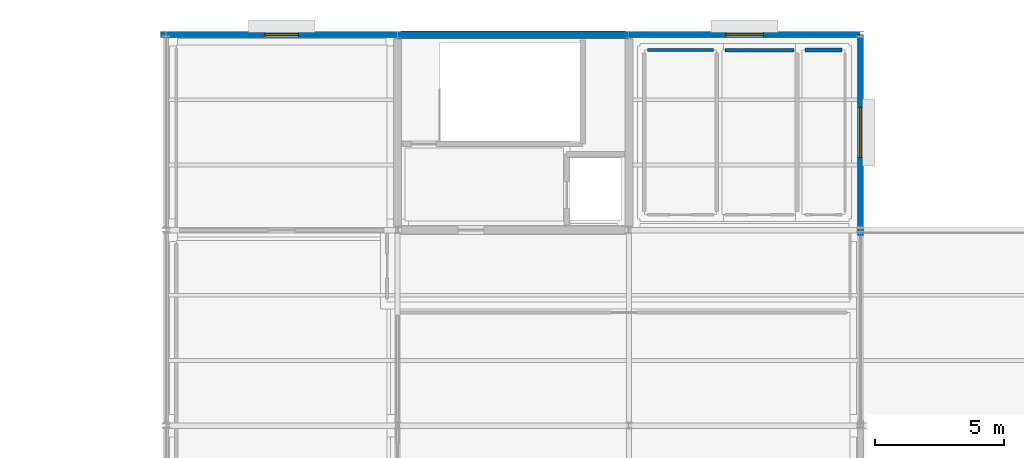
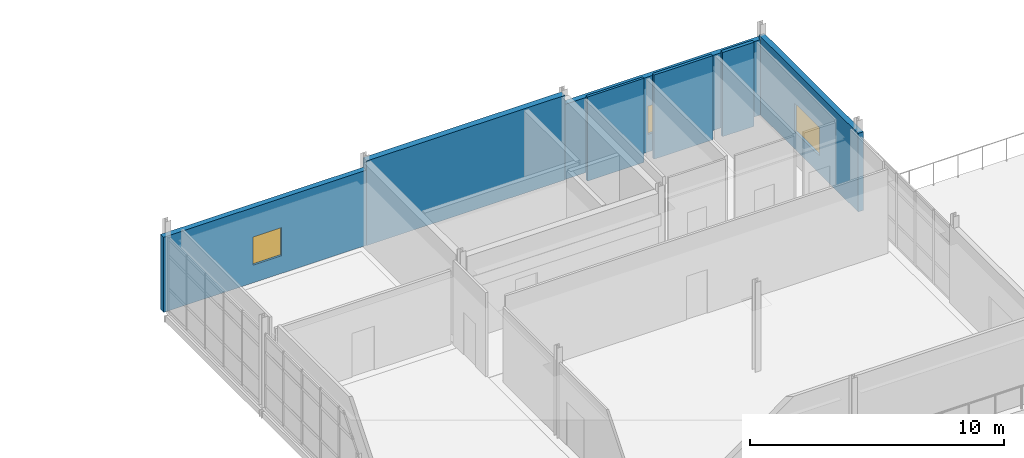
# One storey, part 44 of 48: 7 walls, 3 windows, 3 openings.
"""IFC4 building model written with IfcOpenShell, lengths in metres."""

import ifcopenshell
import ifcopenshell.guid

model = None  # the IFC model being written
_history = None  # IfcOwnerHistory: only IFC2X3 demands one
_inside = {}  # id of a spatial element -> (the spatial element, [elements in it])
_under = {}  # id of a project, library or spatial element -> (it, [spatial elements below it])
_declared = {}  # id of a project -> (the project, [libraries it declares])
_typed = {}  # id of a type object -> (the type object, [elements of that type])
_made_of = {}  # id of a material, layer set ... -> (it, [elements and type objects made of it])


def new_model(schema):
    """Start an empty IFC model of exactly this schema.

    Asked for "IFC4X3", IfcOpenShell would pick the latest addendum, in which some entities
    have other attributes; the version numbers below select the first issue.
    IFC2X3 requires an IfcOwnerHistory on every rooted entity: one is made here for all.
    """
    global model, _history
    if schema == "IFC4X3":
        model = ifcopenshell.file(schema_version=(4, 3, 0, 0))
    else:
        model = ifcopenshell.file(schema=schema)
    _inside.clear()
    _under.clear()
    _declared.clear()
    _typed.clear()
    _made_of.clear()
    _history = None
    if model.schema == "IFC2X3":
        org = make("IfcOrganization", Name="unknown")
        user = make(
            "IfcPersonAndOrganization",
            ThePerson=make("IfcPerson", FamilyName="unknown"),
            TheOrganization=org,
        )
        app = make(
            "IfcApplication",
            ApplicationDeveloper=org,
            Version="unknown",
            ApplicationFullName="unknown",
            ApplicationIdentifier="unknown",
        )
        _history = make(
            "IfcOwnerHistory",
            OwningUser=user,
            OwningApplication=app,
            ChangeAction="ADDED",
            CreationDate=0,
        )
    return model


def make(cls, **values):
    """One entity of the class cls with the attributes given. An attribute that is None is left unset."""
    return model.create_entity(
        cls, **{name: value for name, value in values.items() if value is not None}
    )


def rooted(cls, **values):
    """An entity with a GlobalId (a new one), such as an element, a storey or a relation."""
    return make(cls, GlobalId=ifcopenshell.guid.new(), OwnerHistory=_history, **values)


def si_unit(unit_type, name, prefix=None):
    """IfcSIUnit, for example si_unit("LENGTHUNIT", "METRE", prefix="MILLI")."""
    return make("IfcSIUnit", UnitType=unit_type, Prefix=prefix, Name=name)


def assignment(units):
    """IfcUnitAssignment: the units of a project."""
    return None if units is None else make("IfcUnitAssignment", Units=units)


def point(xyz):
    """IfcCartesianPoint."""
    return None if xyz is None else make("IfcCartesianPoint", Coordinates=xyz)


def direction(xyz):
    """IfcDirection."""
    return None if xyz is None else make("IfcDirection", DirectionRatios=xyz)


def frame(location, z_axis=None, x_axis=None):
    """IfcAxis2Placement3D, a coordinate frame: its origin and axes. An axis left out is left unset."""
    return make(
        "IfcAxis2Placement3D",
        Location=point(location),
        Axis=direction(z_axis),
        RefDirection=direction(x_axis),
    )


def frame_2d(location, x_axis=None):
    """IfcAxis2Placement2D, a coordinate frame in the plane: its origin and x axis."""
    return make(
        "IfcAxis2Placement2D", Location=point(location), RefDirection=direction(x_axis)
    )


def origin():
    """The frame at (0, 0, 0) with its axes left unset."""
    return frame((0.0, 0.0, 0.0))


def place(relative_to, where):
    """IfcLocalPlacement: puts the frame where relative to a parent placement (None: the world)."""
    return make(
        "IfcLocalPlacement", PlacementRelTo=relative_to, RelativePlacement=where
    )


def context(
    kind, dimensions, precision=None, world=None, true_north=None, identifier=None
):
    """IfcGeometricRepresentationContext, for example the 3D "Model" context."""
    return make(
        "IfcGeometricRepresentationContext",
        ContextIdentifier=identifier,
        ContextType=kind,
        CoordinateSpaceDimension=dimensions,
        Precision=precision,
        WorldCoordinateSystem=world,
        TrueNorth=true_north,
    )


def subcontext(parent, identifier, kind, view, scale=None):
    """IfcGeometricRepresentationSubContext, for example "Body" below "Model"."""
    return make(
        "IfcGeometricRepresentationSubContext",
        ContextIdentifier=identifier,
        ContextType=kind,
        ParentContext=parent,
        TargetScale=scale,
        TargetView=view,
    )


def project(units=None, contexts=None):
    """IfcProject with its units and contexts."""
    return rooted(
        "IfcProject",
        Name="project",
        RepresentationContexts=contexts,
        UnitsInContext=assignment(units),
    )


def spatial(cls, under=None, at=None, **own):
    """A site, building, storey or space (cls), placed at a placement, below another one or the project."""
    s = rooted(cls, ObjectPlacement=at, **own)
    if under is not None:
        _under.setdefault(under.id(), (under, []))[1].append(s)
    return s


def profile(cls, at=None, kind="AREA", **sizes):
    """A parametric profile (cls). Its sizes go by their IFC names, for example OverallWidth=200.0."""
    return make(cls, ProfileType=kind, Position=at, **sizes)


def rectangle(**sizes):
    """IfcRectangleProfileDef."""
    return profile("IfcRectangleProfileDef", **sizes)


def extrude(swept, where, along, depth):
    """IfcExtrudedAreaSolid: the profile swept, set in the frame where, extruded along a direction by depth."""
    return make(
        "IfcExtrudedAreaSolid",
        SweptArea=swept,
        Position=where,
        ExtrudedDirection=direction(along),
        Depth=depth,
    )


def shape(context_of_items, identifier, shape_type, items):
    """IfcShapeRepresentation: the items that make up one representation, for example the "Body"."""
    return make(
        "IfcShapeRepresentation",
        ContextOfItems=context_of_items,
        RepresentationIdentifier=identifier,
        RepresentationType=shape_type,
        Items=items,
    )


def material(Name=None, Category=None):
    """IfcMaterial."""
    return make("IfcMaterial", Name=Name, Category=Category)


def layer(
    of_material, thickness, ventilated=None, Name=None, Category=None, Priority=None
):
    """IfcMaterialLayer: one layer of a wall or slab, of a material (None: an air gap)."""
    return make(
        "IfcMaterialLayer",
        Material=of_material,
        LayerThickness=thickness,
        IsVentilated=ventilated,
        Name=Name,
        Category=Category,
        Priority=Priority,
    )


def layer_set(layers, Name=None):
    """IfcMaterialLayerSet."""
    return make("IfcMaterialLayerSet", MaterialLayers=layers, LayerSetName=Name)


def made_of(thing, what):
    """Note that an element or type object is made of a material, layer set ...; save() writes the relation."""
    if what is not None:
        _made_of.setdefault(what.id(), (what, []))[1].append(thing)
    return thing


def type_object(cls, material=None, **own):
    """A type object (cls), such as IfcWallType, which elements share."""
    return made_of(rooted(cls, **own), material)


def element(
    cls,
    number,
    at=None,
    inside=None,
    cuts=None,
    type_object=None,
    material=None,
    context=None,
    identifier="Body",
    shape_type=None,
    held_by="IfcProductDefinitionShape",
    body=None,
    shapes=None,
    **own,
):
    """One element of the class cls, such as IfcWall. Its Tag is "e" and its number.

    at: its placement. inside: the storey or other place that contains it. cuts: it is an
    opening in that element (IfcRelVoidsElement). A single representation is given by context,
    identifier, shape_type and body (its items); several are given by shapes. held_by: the class
    of the entity that holds the representations. save() writes the other relations.
    """
    e = rooted(cls, Tag="e%d" % number, ObjectPlacement=at, **own)
    if body is not None:
        shapes = [shape(context, identifier, shape_type, body)]
    if shapes is not None:
        e.Representation = make(held_by, Representations=shapes)
    if inside is not None:
        _inside.setdefault(inside.id(), (inside, []))[1].append(e)
    if cuts is not None:
        rooted(
            "IfcRelVoidsElement", RelatingBuildingElement=cuts, RelatedOpeningElement=e
        )
    if type_object is not None:
        _typed.setdefault(type_object.id(), (type_object, []))[1].append(e)
    return made_of(e, material)


def fill(opening, filler):
    """IfcRelFillsElement: the door or window that sits in an opening."""
    return rooted(
        "IfcRelFillsElement",
        RelatingOpeningElement=opening,
        RelatedBuildingElement=filler,
    )


def aggregate(whole, parts):
    """IfcRelAggregates: a whole, such as a stair, and the parts it consists of."""
    return rooted("IfcRelAggregates", RelatingObject=whole, RelatedObjects=parts)


def save(model, path):
    """Write the relations noted so far, then the file.

    IfcRelAggregates (storeys below a building ...), IfcRelContainedInSpatialStructure (elements
    in a storey), IfcRelDefinesByType, IfcRelAssociatesMaterial and IfcRelDeclares: one each for
    every whole, place, type object, material and project.
    """
    for whole, parts in _under.values():
        aggregate(whole, parts)
    for where, things in _inside.values():
        rooted(
            "IfcRelContainedInSpatialStructure",
            RelatedElements=things,
            RelatingStructure=where,
        )
    for kind, things in _typed.values():
        rooted("IfcRelDefinesByType", RelatedObjects=things, RelatingType=kind)
    for what, things in _made_of.values():
        rooted("IfcRelAssociatesMaterial", RelatedObjects=things, RelatingMaterial=what)
    for by, libraries in _declared.values():
        rooted("IfcRelDeclares", RelatingContext=by, RelatedDefinitions=libraries)
    model.write(path)


model = new_model("IFC4")

# Units and contexts
model_context = context("Model", 3, precision=1e-05, world=origin(), true_north=direction((0.0, 1.0)))
body_context = subcontext(model_context, "Body", "Model", "MODEL_VIEW")
ifc_project = project(units=[si_unit("LENGTHUNIT", "METRE"), si_unit("AREAUNIT", "SQUARE_METRE"), si_unit("VOLUMEUNIT", "CUBIC_METRE"), si_unit("PLANEANGLEUNIT", "RADIAN"), si_unit("MASSUNIT", "GRAM", prefix="KILO")], contexts=[model_context])

# Site, building, storey
site_placement = place(None, origin())
site = spatial("IfcSite", under=ifc_project, at=site_placement, CompositionType="ELEMENT")
building_placement = place(site_placement, origin())
building = spatial("IfcBuilding", under=site, at=building_placement, Name="Caisbarro Railhouse Central Library", CompositionType="ELEMENT")
storey_placement = place(building_placement, frame((0.0, 0.0, 18.0)))
storey = spatial("IfcBuildingStorey", under=building, at=storey_placement, Name="L04", CompositionType="ELEMENT", Elevation=18.0)

# Wall, opening, window
ifc_material_1 = material(Name="Concrete C35 insulated architectural precast", Category="concrete")
ifc_layer_1 = layer(ifc_material_1, 0.239990234375, Name="Concrete C35 insulated architectural precast")
ifc_layer_set_1 = layer_set([ifc_layer_1], Name="Concrete C35 insulated architectural precast")
wall_type_1 = type_object("IfcWallType", Name="WAL-EW24", PredefinedType="STANDARD", material=ifc_layer_set_1)
wall_1_placement = place(storey_placement, frame((116.7900390625, 114.0, 0.0), z_axis=(0.0, 0.0, 1.0), x_axis=(1.0, 0.0, 0.0)))
wall_1 = element("IfcWall", 1, at=wall_1_placement, inside=storey, type_object=wall_type_1, Name="EW24 exterior wall L04 #224", PredefinedType="STANDARD", context=body_context, shape_type="SweptSolid", body=[
    extrude(rectangle(XDim=9.2099609375, YDim=0.239990234375, at=frame_2d((4.60498046875, 0.0))), origin(), (0.0, 0.0, 1.0), 3.611083984375),
])
opening_1_placement = place(wall_1_placement, frame((4.06005859375, 0.0, 0.85009765625)))
opening_1 = element("IfcOpeningElement", 2, at=opening_1_placement, cuts=wall_1, Name="Opening W12", PredefinedType="OPENING", context=body_context, shape_type="SweptSolid", body=[
    extrude(rectangle(XDim=1.300048828125, YDim=1.35009765625, at=frame_2d((0.64990234375, 0.675048828125))), frame((0.0, 0.1298828125, 0.0), z_axis=(0.0, -1.0, 0.0), x_axis=(1.0, 0.0, 0.0)), (0.0, 0.0, 1.0), 0.260009765625),
])
ifc_material_2 = material(Name="Double low-e laminated solar-control glass", Category="glass")
window_type_1 = type_object("IfcWindowType", Name="WIN-W12", PartitioningType="SINGLE_PANEL", PredefinedType="WINDOW", material=ifc_material_2)
window_1_placement = place(opening_1_placement, origin())
window_1 = element("IfcWindow", 3, at=window_1_placement, inside=storey, type_object=window_type_1, Name="W12 window L04-080", OverallHeight=1.35009765625, OverallWidth=1.300048828125, PartitioningType="SINGLE_PANEL", PredefinedType="WINDOW", context=body_context, shape_type="SweptSolid", body=[
    extrude(rectangle(XDim=1.300048828125, YDim=1.35009765625, at=frame_2d((0.64990234375, 0.675048828125))), frame((0.0, 0.030029296875, 0.0), z_axis=(0.0, -1.0, 0.0), x_axis=(1.0, 0.0, 0.0)), (0.0, 0.0, 1.0), 0.06005859375),
])
fill(opening_1, window_1)

wall_2_placement = place(storey_placement, frame((135.0, 114.0, 0.0), z_axis=(0.0, 0.0, 1.0), x_axis=(1.0, 0.0, 0.0)))
wall_2 = element("IfcWall", 4, at=wall_2_placement, inside=storey, type_object=wall_type_1, Name="EW24 exterior wall L04 #227", PredefinedType="STANDARD", context=body_context, shape_type="SweptSolid", body=[
    extrude(rectangle(XDim=9.0, YDim=0.239990234375, at=frame_2d((4.5, 0.0))), origin(), (0.0, 0.0, 1.0), 3.611083984375),
])
opening_2_placement = place(wall_2_placement, frame((3.77490234375, 0.0, 0.85009765625)))
opening_2 = element("IfcOpeningElement", 5, at=opening_2_placement, cuts=wall_2, Name="Opening W13", PredefinedType="OPENING", context=body_context, shape_type="SweptSolid", body=[
    extrude(rectangle(XDim=1.449951171875, YDim=1.35009765625, at=frame_2d((0.72509765625, 0.675048828125))), frame((0.0, 0.1298828125, 0.0), z_axis=(0.0, -1.0, 0.0), x_axis=(1.0, 0.0, 0.0)), (0.0, 0.0, 1.0), 0.260009765625),
])
window_type_2 = type_object("IfcWindowType", Name="WIN-W13", PartitioningType="SINGLE_PANEL", PredefinedType="WINDOW", material=ifc_material_2)
window_2_placement = place(opening_2_placement, origin())
window_2 = element("IfcWindow", 6, at=window_2_placement, inside=storey, type_object=window_type_2, Name="W13 window L04-081", OverallHeight=1.35009765625, OverallWidth=1.449951171875, PartitioningType="SINGLE_PANEL", PredefinedType="WINDOW", context=body_context, shape_type="SweptSolid", body=[
    extrude(rectangle(XDim=1.449951171875, YDim=1.35009765625, at=frame_2d((0.72509765625, 0.675048828125))), frame((0.0, 0.030029296875, 0.0), z_axis=(0.0, -1.0, 0.0), x_axis=(1.0, 0.0, 0.0)), (0.0, 0.0, 1.0), 0.06005859375),
])
fill(opening_2, window_2)

wall_3_placement = place(storey_placement, frame((144.0, 106.18994140625, 0.0), z_axis=(0.0, 0.0, 1.0), x_axis=(0.0, 1.0, 0.0)))
wall_3 = element("IfcWall", 7, at=wall_3_placement, inside=storey, type_object=wall_type_1, Name="EW24 exterior wall L04 #230", PredefinedType="STANDARD", context=body_context, shape_type="SweptSolid", body=[
    extrude(rectangle(XDim=7.81005859375, YDim=0.239990234375, at=frame_2d((3.905029296875, 0.0))), origin(), (0.0, 0.0, 1.0), 3.76806640625),
])
opening_3_placement = place(wall_3_placement, frame((3.034912109375, 0.0, 0.85009765625)))
opening_3 = element("IfcOpeningElement", 8, at=opening_3_placement, cuts=wall_3, Name="Opening W16", PredefinedType="OPENING", context=body_context, shape_type="SweptSolid", body=[
    extrude(rectangle(XDim=1.949951171875, YDim=1.35009765625, at=frame_2d((0.97509765625, 0.675048828125))), frame((0.0, 0.1298828125, 0.0), z_axis=(0.0, -1.0, 0.0), x_axis=(1.0, 0.0, 0.0)), (0.0, 0.0, 1.0), 0.260009765625),
])
window_type_3 = type_object("IfcWindowType", Name="WIN-W16", PartitioningType="SINGLE_PANEL", PredefinedType="WINDOW", material=ifc_material_2)
window_3_placement = place(opening_3_placement, origin())
window_3 = element("IfcWindow", 9, at=window_3_placement, inside=storey, type_object=window_type_3, Name="W16 window L04-082", OverallHeight=1.35009765625, OverallWidth=1.949951171875, PartitioningType="SINGLE_PANEL", PredefinedType="WINDOW", context=body_context, shape_type="SweptSolid", body=[
    extrude(rectangle(XDim=1.949951171875, YDim=1.35009765625, at=frame_2d((0.97509765625, 0.675048828125))), frame((0.0, 0.030029296875, 0.0), z_axis=(0.0, -1.0, 0.0), x_axis=(1.0, 0.0, 0.0)), (0.0, 0.0, 1.0), 0.06005859375),
])
fill(opening_3, window_3)

# Walls
ifc_material_3 = material(Name="Concrete C40", Category="concrete")
ifc_layer_2 = layer(ifc_material_3, 0.280029296875, Name="Concrete C40")
ifc_layer_set_2 = layer_set([ifc_layer_2], Name="Concrete C40")
wall_type_2 = type_object("IfcWallType", Name="WAL-EW28", PredefinedType="SOLIDWALL", material=ifc_layer_set_2)
wall_4_placement = place(storey_placement, frame((126.0, 114.0, 0.0), z_axis=(0.0, 0.0, 1.0), x_axis=(1.0, 0.0, 0.0)))
element("IfcWall", 10, at=wall_4_placement, inside=storey, type_object=wall_type_2, Name="EW28 exterior wall L04 #225", PredefinedType="SOLIDWALL", context=body_context, shape_type="SweptSolid", body=[
    extrude(rectangle(XDim=9.0, YDim=0.280029296875, at=frame_2d((4.5, 0.0))), origin(), (0.0, 0.0, 1.0), 4.06005859375),
])
ifc_material_4 = material(Name="Acoustic gypsum board on galvanised steel studs", Category="steel")
ifc_layer_3 = layer(ifc_material_4, 0.110107421875, Name="Acoustic gypsum board on galvanised steel studs")
ifc_layer_set_3 = layer_set([ifc_layer_3], Name="Acoustic gypsum board on galvanised steel studs")
wall_type_3 = type_object("IfcWallType", Name="WAL-IW11", PredefinedType="PARTITIONING", material=ifc_layer_set_3)
wall_5_placement = place(storey_placement, frame((135.719970703125, 113.39990234375, 0.0), z_axis=(0.0, 0.0, 1.0), x_axis=(1.0, 0.0, 0.0)))
element("IfcWall", 11, at=wall_5_placement, inside=storey, type_object=wall_type_3, Name="IW11 partition wall L04 #627", PredefinedType="PARTITIONING", context=body_context, shape_type="SweptSolid", body=[
    extrude(rectangle(XDim=2.575927734375, YDim=0.110107421875, at=frame_2d((1.2880859375, 0.0))), origin(), (0.0, 0.0, 1.0), 4.0400390625),
])
ifc_layer_4 = layer(ifc_material_4, 0.1298828125, Name="Acoustic gypsum board on galvanised steel studs")
ifc_layer_set_4 = layer_set([ifc_layer_4], Name="Acoustic gypsum board on galvanised steel studs")
wall_type_4 = type_object("IfcWallType", Name="WAL-IW13", PredefinedType="PARTITIONING", material=ifc_layer_set_4)
wall_6_placement = place(storey_placement, frame((138.736083984375, 113.39990234375, 0.0), z_axis=(0.0, 0.0, 1.0), x_axis=(1.0, 0.0, 0.0)))
element("IfcWall", 12, at=wall_6_placement, inside=storey, type_object=wall_type_4, Name="IW13 partition wall L04 #630", PredefinedType="PARTITIONING", context=body_context, shape_type="SweptSolid", body=[
    extrude(rectangle(XDim=2.676025390625, YDim=0.1298828125, at=frame_2d((1.337890625, 0.0))), origin(), (0.0, 0.0, 1.0), 4.0400390625),
])
ifc_layer_5 = layer(ifc_material_4, 0.14990234375, Name="Acoustic gypsum board on galvanised steel studs")
ifc_layer_set_5 = layer_set([ifc_layer_5], Name="Acoustic gypsum board on galvanised steel studs")
wall_type_5 = type_object("IfcWallType", Name="WAL-IW15", PredefinedType="PARTITIONING", material=ifc_layer_set_5)
wall_7_placement = place(storey_placement, frame((141.85205078125, 113.39990234375, 0.0), z_axis=(0.0, 0.0, 1.0), x_axis=(1.0, 0.0, 0.0)))
element("IfcWall", 13, at=wall_7_placement, inside=storey, type_object=wall_type_5, Name="IW15 partition wall L04 #633", PredefinedType="PARTITIONING", context=body_context, shape_type="SweptSolid", body=[
    extrude(rectangle(XDim=1.427978515625, YDim=0.14990234375, at=frame_2d((0.7138671875, 0.0))), origin(), (0.0, 0.0, 1.0), 4.0400390625),
])

save(model, "model.ifc")
